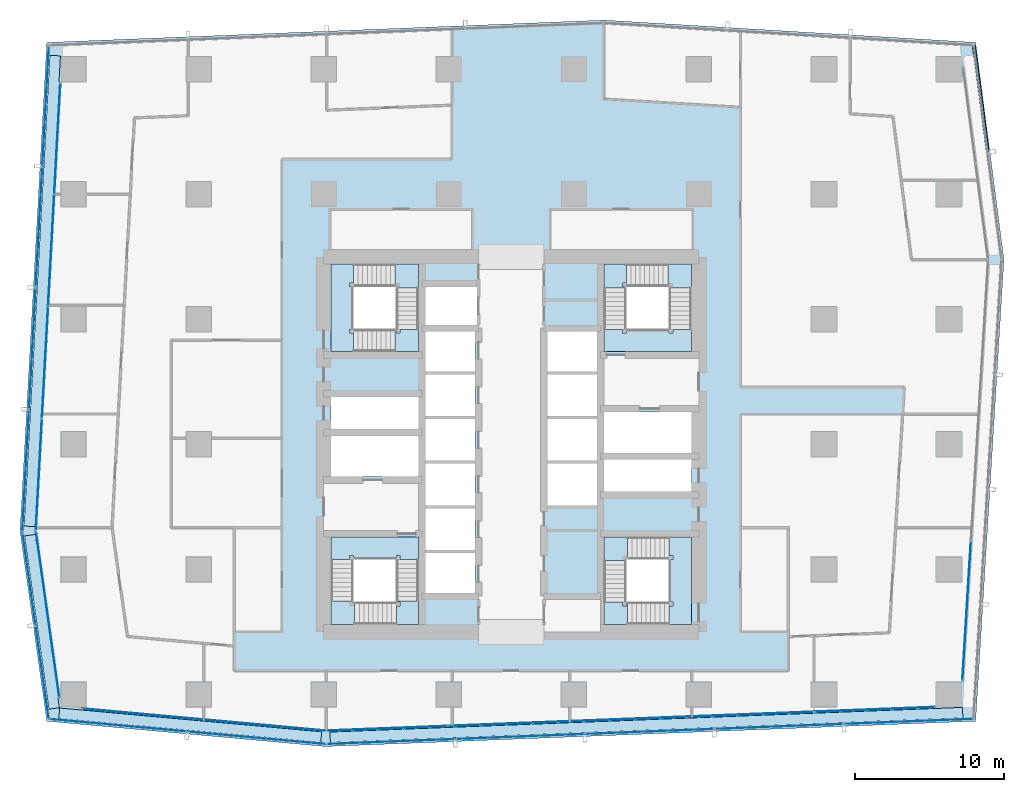
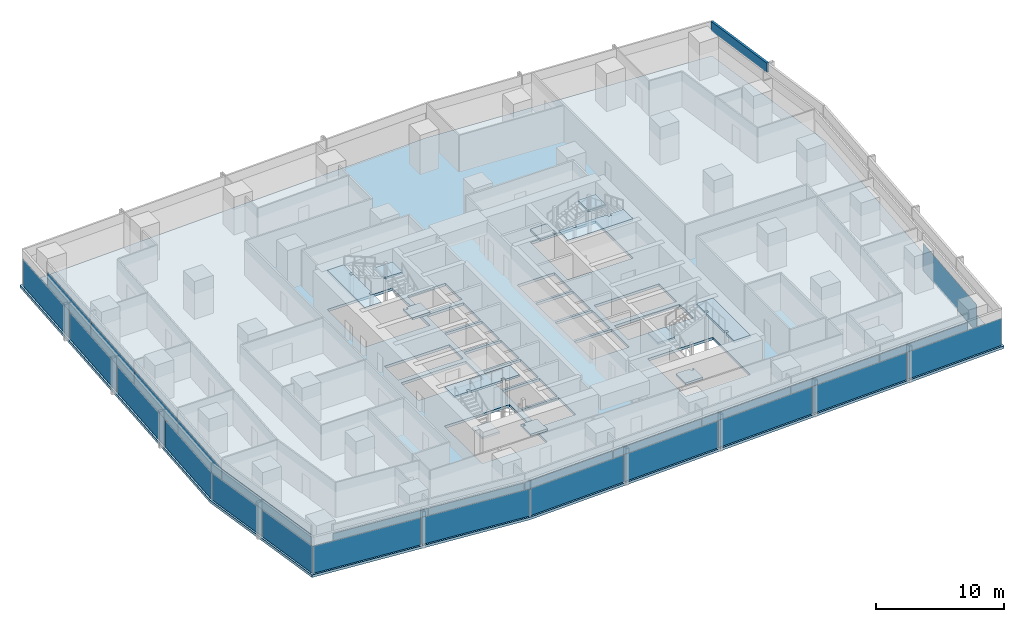
# One storey, part 27 of 40: 30 plates, 13 slabs, 1 member, 14 elements without a shape of their own.
"""IFC4 building model written with IfcOpenShell, lengths in metres."""

from ifc_helpers import new_model, si_unit, direction, frame, origin, origin_2d, place, context, subcontext, project, spatial, polyline, rectangle, hollow_rectangle, outline, extrude, material, layer, layer_set, material_profile, profile_set, type_object, element, aggregate, save


model = new_model("IFC4")

# Units and contexts
model_context = context("Model", 3, precision=1e-05, world=origin(), true_north=direction((0.0, 1.0)))
body_context = subcontext(model_context, "Body", "Model", "MODEL_VIEW")
ifc_project = project(units=[si_unit("LENGTHUNIT", "METRE"), si_unit("AREAUNIT", "SQUARE_METRE"), si_unit("VOLUMEUNIT", "CUBIC_METRE"), si_unit("PLANEANGLEUNIT", "RADIAN"), si_unit("MASSUNIT", "GRAM", prefix="KILO")], contexts=[model_context])

# Site, building, storey
site_placement = place(None, origin())
site = spatial("IfcSite", under=ifc_project, at=site_placement, CompositionType="ELEMENT")
building_placement = place(site_placement, origin())
building = spatial("IfcBuilding", under=site, at=building_placement, Name="Rekha Terrace Tower", CompositionType="ELEMENT")
storey_placement = place(building_placement, frame((0.0, 0.0, 132.800048828125)))
storey = spatial("IfcBuildingStorey", under=building, at=storey_placement, Name="L33", CompositionType="ELEMENT", Elevation=132.800048828125)

# Curtain wall, member
ifc_material_1 = material(Name="Aluminium framing", Category="aluminium")
curtain_wall_type_1 = type_object("IfcCurtainWallType", Name="CW2 double skin outer glazing", PredefinedType="USERDEFINED", material=ifc_material_1)
curtain_wall_1_placement = place(storey_placement, origin())
curtain_wall_1 = element("IfcCurtainWall", 1, at=curtain_wall_1_placement, inside=storey, type_object=curtain_wall_type_1, Name="CW2 double skin outer glazing", ObjectType="DOUBLE SKIN OUTER GLAZING", PredefinedType="USERDEFINED")
ifc_material_2 = material(Name="Insulated aluminium spandrel box", Category="aluminium")
ifc_material_profile = material_profile(ifc_material_2, hollow_rectangle(XDim=0.199951171875, YDim=0.89990234375, WallThickness=0.0029296875, at=origin_2d()), Name="AL SPANDREL BOX 200x900")
ifc_profile_set = profile_set([ifc_material_profile], Name="Insulated aluminium spandrel box")
member_type = type_object("IfcMemberType", Name="CW2 spandrel transom 200 x 900", PredefinedType="USERDEFINED", material=ifc_profile_set)
member_placement = place(storey_placement, frame((69.793701171875, 53.26513671875, 3.050048828125), z_axis=(-0.12912937971, 0.9916277544, 0.0), x_axis=(-0.9916277544, -0.12912937971, 0.0)))
member = element("IfcMember", 2, at=member_placement, type_object=member_type, Name="CW2 spandrel transom 2", ObjectType="TRANSOM", PredefinedType="USERDEFINED", context=body_context, shape_type="SweptSolid", body=[
    extrude(hollow_rectangle(XDim=0.199951171875, YDim=0.89990234375, WallThickness=0.0029296875, at=origin_2d()), origin(), (0.0, 0.0, 1.0), 7.163818359375),
])
aggregate(curtain_wall_1, [member])

# Curtain wall, plates
curtain_wall_type_2 = type_object("IfcCurtainWallType", Name="CW1 double skin inner glazing", PredefinedType="USERDEFINED", material=ifc_material_1)
curtain_wall_2_placement = place(storey_placement, origin())
curtain_wall_2 = element("IfcCurtainWall", 3, at=curtain_wall_2_placement, inside=storey, type_object=curtain_wall_type_2, Name="CW1 double skin inner glazing", ObjectType="DOUBLE SKIN INNER GLAZING", PredefinedType="USERDEFINED")
ifc_material_3 = material(Name="Double-glazed low-e unit 32", Category="glass")
ifc_layer_1 = layer(ifc_material_3, 0.031982421875)
ifc_layer_set_1 = layer_set([ifc_layer_1], Name="Double-glazed low-e unit 32")
plate_type_1 = type_object("IfcPlateType", Name="CW1 jumbo vision panel, double-glazed low-e unit 32", PredefinedType="CURTAIN_PANEL", material=ifc_layer_set_1)
plate_1_placement = place(storey_placement, frame((13.0439453125, 15.479248046875, 0.0), z_axis=(0.0, 0.0, 1.0), x_axis=(0.995901923142, -0.090439811381, 0.0)))
plate_1 = element("IfcPlate", 4, at=plate_1_placement, type_object=plate_type_1, Name="CW1 panel 1.1", PredefinedType="CURTAIN_PANEL", context=body_context, shape_type="SweptSolid", body=[
    extrude(rectangle(XDim=8.1494140625, YDim=0.031982421875, at=origin_2d()), origin(), (0.0, 0.0, 1.0), 2.60009765625),
])
plate_2_placement = place(storey_placement, frame((21.257080078125, 14.7333984375, 0.0), z_axis=(0.0, 0.0, 1.0), x_axis=(0.995901923142, -0.090439811381, 0.0)))
plate_2 = element("IfcPlate", 5, at=plate_2_placement, type_object=plate_type_1, Name="CW1 panel 2.1", PredefinedType="CURTAIN_PANEL", context=body_context, shape_type="SweptSolid", body=[
    extrude(rectangle(XDim=8.214599609375, YDim=0.031982421875, at=origin_2d()), origin(), (0.0, 0.0, 1.0), 2.60009765625),
])
aggregate(curtain_wall_2, [plate_1, plate_2])

curtain_wall_3_placement = place(storey_placement, origin())
curtain_wall_3 = element("IfcCurtainWall", 6, at=curtain_wall_3_placement, inside=storey, type_object=curtain_wall_type_2, Name="CW1 double skin inner glazing", ObjectType="DOUBLE SKIN INNER GLAZING", PredefinedType="USERDEFINED")
plate_3_placement = place(storey_placement, frame((29.4619140625, 14.52197265625, 0.0), z_axis=(0.0, 0.0, 1.0), x_axis=(0.999243498917, 0.038889971345, 0.0)))
plate_3 = element("IfcPlate", 7, at=plate_3_placement, type_object=plate_type_1, Name="CW1 panel 1.1", PredefinedType="CURTAIN_PANEL", context=body_context, shape_type="SweptSolid", body=[
    extrude(rectangle(XDim=8.105224609375, YDim=0.031982421875, at=origin_2d()), origin(), (0.0, 0.0, 1.0), 2.60009765625),
])
plate_4_placement = place(storey_placement, frame((37.64208984375, 14.84033203125, 0.0), z_axis=(0.0, 0.0, 1.0), x_axis=(0.999243498917, 0.038889971345, 0.0)))
plate_4 = element("IfcPlate", 8, at=plate_4_placement, type_object=plate_type_1, Name="CW1 panel 2.1", PredefinedType="CURTAIN_PANEL", context=body_context, shape_type="SweptSolid", body=[
    extrude(rectangle(XDim=8.1376953125, YDim=0.031982421875, at=origin_2d()), origin(), (0.0, 0.0, 1.0), 2.60009765625),
])
plate_5_placement = place(storey_placement, frame((45.838623046875, 15.159423828125, 0.0), z_axis=(0.0, 0.0, 1.0), x_axis=(0.999243498917, 0.038889971345, 0.0)))
plate_5 = element("IfcPlate", 9, at=plate_5_placement, type_object=plate_type_1, Name="CW1 panel 3.1", PredefinedType="CURTAIN_PANEL", context=body_context, shape_type="SweptSolid", body=[
    extrude(rectangle(XDim=8.1376953125, YDim=0.031982421875, at=origin_2d()), origin(), (0.0, 0.0, 1.0), 2.60009765625),
])
plate_6_placement = place(storey_placement, frame((54.034912109375, 15.478271484375, 0.0), z_axis=(0.0, 0.0, 1.0), x_axis=(0.999243498917, 0.038889971345, 0.0)))
plate_6 = element("IfcPlate", 10, at=plate_6_placement, type_object=plate_type_1, Name="CW1 panel 4.1", PredefinedType="CURTAIN_PANEL", context=body_context, shape_type="SweptSolid", body=[
    extrude(rectangle(XDim=8.1376953125, YDim=0.031982421875, at=origin_2d()), origin(), (0.0, 0.0, 1.0), 2.60009765625),
])
plate_7_placement = place(storey_placement, frame((62.21533203125, 15.796630859375, 0.0), z_axis=(0.0, 0.0, 1.0), x_axis=(0.999243498917, 0.038889971345, 0.0)))
plate_7 = element("IfcPlate", 11, at=plate_7_placement, type_object=plate_type_1, Name="CW1 panel 5.1", PredefinedType="CURTAIN_PANEL", context=body_context, shape_type="SweptSolid", body=[
    extrude(rectangle(XDim=8.105224609375, YDim=0.031982421875, at=origin_2d()), origin(), (0.0, 0.0, 1.0), 2.60009765625),
])
aggregate(curtain_wall_3, [plate_3, plate_4, plate_5, plate_6, plate_7])

# Curtain wall, plate
curtain_wall_4_placement = place(storey_placement, origin())
curtain_wall_4 = element("IfcCurtainWall", 12, at=curtain_wall_4_placement, inside=storey, type_object=curtain_wall_type_2, Name="CW1 double skin inner glazing", ObjectType="DOUBLE SKIN INNER GLAZING", PredefinedType="USERDEFINED")
plate_8_placement = place(storey_placement, frame((68.391357421875, 22.400634765625, 0.0), z_axis=(0.0, 0.0, 1.0), x_axis=(0.061159803131, 0.998127987024, 0.0)))
plate_8 = element("IfcPlate", 13, at=plate_8_placement, type_object=plate_type_1, Name="CW1 panel 1.1", PredefinedType="CURTAIN_PANEL", context=body_context, shape_type="SweptSolid", body=[
    extrude(rectangle(XDim=9.355224609375, YDim=0.031982421875, at=origin_2d()), origin(), (0.0, 0.0, 1.0), 2.60009765625),
])
aggregate(curtain_wall_4, [plate_8])

# Curtain wall, plates
curtain_wall_5_placement = place(storey_placement, origin())
curtain_wall_5 = element("IfcCurtainWall", 14, at=curtain_wall_5_placement, inside=storey, type_object=curtain_wall_type_2, Name="CW1 double skin inner glazing", ObjectType="DOUBLE SKIN INNER GLAZING", PredefinedType="USERDEFINED")
plate_9_placement = place(storey_placement, frame((7.30810546875, 54.15087890625, 0.0), z_axis=(0.0, 0.0, 1.0), x_axis=(-0.054742352707, -0.99850051318, 0.0)))
plate_9 = element("IfcPlate", 15, at=plate_9_placement, type_object=plate_type_1, Name="CW1 panel 1.1", PredefinedType="CURTAIN_PANEL", context=body_context, shape_type="SweptSolid", body=[
    extrude(rectangle(XDim=7.443359375, YDim=0.031982421875, at=origin_2d()), origin(), (0.0, 0.0, 1.0), 2.60009765625),
])
plate_10_placement = place(storey_placement, frame((6.89599609375, 46.637451171875, 0.0), z_axis=(0.0, 0.0, 1.0), x_axis=(-0.054742352707, -0.99850051318, 0.0)))
plate_10 = element("IfcPlate", 16, at=plate_10_placement, type_object=plate_type_1, Name="CW1 panel 2.1", PredefinedType="CURTAIN_PANEL", context=body_context, shape_type="SweptSolid", body=[
    extrude(rectangle(XDim=7.475830078125, YDim=0.031982421875, at=origin_2d()), origin(), (0.0, 0.0, 1.0), 2.60009765625),
])
plate_11_placement = place(storey_placement, frame((6.4833984375, 39.10791015625, 0.0), z_axis=(0.0, 0.0, 1.0), x_axis=(-0.054742352707, -0.99850051318, 0.0)))
plate_11 = element("IfcPlate", 17, at=plate_11_placement, type_object=plate_type_1, Name="CW1 panel 3.1", PredefinedType="CURTAIN_PANEL", context=body_context, shape_type="SweptSolid", body=[
    extrude(rectangle(XDim=7.475830078125, YDim=0.031982421875, at=origin_2d()), origin(), (0.0, 0.0, 1.0), 2.60009765625),
])
plate_12_placement = place(storey_placement, frame((6.069580078125, 31.56201171875, 0.0), z_axis=(0.0, 0.0, 1.0), x_axis=(-0.054742352707, -0.99850051318, 0.0)))
plate_12 = element("IfcPlate", 18, at=plate_12_placement, type_object=plate_type_1, Name="CW1 panel 4.1", PredefinedType="CURTAIN_PANEL", context=body_context, shape_type="SweptSolid", body=[
    extrude(rectangle(XDim=7.508544921875, YDim=0.031982421875, at=origin_2d()), origin(), (0.0, 0.0, 1.0), 2.60009765625),
])
aggregate(curtain_wall_5, [plate_9, plate_10, plate_11, plate_12])

# Curtain wall, plate
curtain_wall_6_placement = place(storey_placement, origin())
curtain_wall_6 = element("IfcCurtainWall", 19, at=curtain_wall_6_placement, inside=storey, type_object=curtain_wall_type_2, Name="CW1 double skin inner glazing", ObjectType="DOUBLE SKIN INNER GLAZING", PredefinedType="USERDEFINED")
plate_13_placement = place(storey_placement, frame((6.65869140625, 22.177490234375, 0.0), z_axis=(0.0, 0.0, 1.0), x_axis=(0.139597048082, -0.990208394312, 0.0)))
plate_13 = element("IfcPlate", 20, at=plate_13_placement, type_object=plate_type_1, Name="CW1 panel 1.1", PredefinedType="CURTAIN_PANEL", context=body_context, shape_type="SweptSolid", body=[
    extrude(rectangle(XDim=11.253173828125, YDim=0.031982421875, at=origin_2d()), origin(), (0.0, 0.0, 1.0), 2.60009765625),
])
aggregate(curtain_wall_6, [plate_13])

# Curtain wall, plates
curtain_wall_7_placement = place(storey_placement, origin())
curtain_wall_7 = element("IfcCurtainWall", 21, at=curtain_wall_7_placement, inside=storey, type_object=curtain_wall_type_1, Name="CW2 double skin outer glazing", ObjectType="DOUBLE SKIN OUTER GLAZING", PredefinedType="USERDEFINED")
ifc_material_4 = material(Name="Toughened single glazing 12", Category="glass")
ifc_layer_2 = layer(ifc_material_4, 0.011962890625)
ifc_layer_set_2 = layer_set([ifc_layer_2], Name="Toughened single glazing 12")
plate_type_2 = type_object("IfcPlateType", Name="CW2 jumbo vision panel, toughened single glazing 12", PredefinedType="CURTAIN_PANEL", material=ifc_layer_set_2)
plate_14_placement = place(storey_placement, frame((11.406494140625, 14.72412109375, 0.0), z_axis=(0.0, 0.0, 1.0), x_axis=(0.995901923137, -0.090439811433, 0.0)))
plate_14 = element("IfcPlate", 22, at=plate_14_placement, type_object=plate_type_2, Name="CW2 panel 1.1", PredefinedType="CURTAIN_PANEL", context=body_context, shape_type="SweptSolid", body=[
    extrude(rectangle(XDim=9.2099609375, YDim=0.011962890625, at=origin_2d()), origin(), (0.0, 0.0, 1.0), 2.60009765625),
])
plate_15_placement = place(storey_placement, frame((20.6982421875, 13.88037109375, 0.0), z_axis=(0.0, 0.0, 1.0), x_axis=(0.995901923137, -0.090439811433, 0.0)))
plate_15 = element("IfcPlate", 23, at=plate_15_placement, type_object=plate_type_2, Name="CW2 panel 2.1", PredefinedType="CURTAIN_PANEL", context=body_context, shape_type="SweptSolid", body=[
    extrude(rectangle(XDim=9.2900390625, YDim=0.011962890625, at=origin_2d()), origin(), (0.0, 0.0, 1.0), 2.60009765625),
])
aggregate(curtain_wall_7, [plate_14, plate_15])

curtain_wall_8_placement = place(storey_placement, origin())
curtain_wall_8 = element("IfcCurtainWall", 24, at=curtain_wall_8_placement, inside=storey, type_object=curtain_wall_type_1, Name="CW2 double skin outer glazing", ObjectType="DOUBLE SKIN OUTER GLAZING", PredefinedType="USERDEFINED")
plate_16_placement = place(storey_placement, frame((29.696533203125, 13.63037109375, 0.0), z_axis=(0.0, 0.0, 1.0), x_axis=(0.999243498917, 0.038889971345, 0.0)))
plate_16 = element("IfcPlate", 25, at=plate_16_placement, type_object=plate_type_2, Name="CW2 panel 1.1", PredefinedType="CURTAIN_PANEL", context=body_context, shape_type="SweptSolid", body=[
    extrude(rectangle(XDim=8.591552734375, YDim=0.011962890625, at=origin_2d()), origin(), (0.0, 0.0, 1.0), 2.60009765625),
])
plate_17_placement = place(storey_placement, frame((38.381591796875, 13.968505859375, 0.0), z_axis=(0.0, 0.0, 1.0), x_axis=(0.999243498917, 0.038889971345, 0.0)))
plate_17 = element("IfcPlate", 26, at=plate_17_placement, type_object=plate_type_2, Name="CW2 panel 2.1", PredefinedType="CURTAIN_PANEL", context=body_context, shape_type="SweptSolid", body=[
    extrude(rectangle(XDim=8.631591796875, YDim=0.011962890625, at=origin_2d()), origin(), (0.0, 0.0, 1.0), 2.60009765625),
])
plate_18_placement = place(storey_placement, frame((47.086669921875, 14.307373046875, 0.0), z_axis=(0.0, 0.0, 1.0), x_axis=(0.999243498917, 0.038889971345, 0.0)))
plate_18 = element("IfcPlate", 27, at=plate_18_placement, type_object=plate_type_2, Name="CW2 panel 3.1", PredefinedType="CURTAIN_PANEL", context=body_context, shape_type="SweptSolid", body=[
    extrude(rectangle(XDim=8.631591796875, YDim=0.011962890625, at=origin_2d()), origin(), (0.0, 0.0, 1.0), 2.60009765625),
])
plate_19_placement = place(storey_placement, frame((55.791748046875, 14.64599609375, 0.0), z_axis=(0.0, 0.0, 1.0), x_axis=(0.999243498917, 0.038889971345, 0.0)))
plate_19 = element("IfcPlate", 28, at=plate_19_placement, type_object=plate_type_2, Name="CW2 panel 4.1", PredefinedType="CURTAIN_PANEL", context=body_context, shape_type="SweptSolid", body=[
    extrude(rectangle(XDim=8.631591796875, YDim=0.011962890625, at=origin_2d()), origin(), (0.0, 0.0, 1.0), 2.60009765625),
])
plate_20_placement = place(storey_placement, frame((64.5166015625, 14.985595703125, 0.0), z_axis=(0.0, 0.0, 1.0), x_axis=(0.999243498917, 0.038889971345, 0.0)))
plate_20 = element("IfcPlate", 29, at=plate_20_placement, type_object=plate_type_2, Name="CW2 panel 5.1", PredefinedType="CURTAIN_PANEL", context=body_context, shape_type="SweptSolid", body=[
    extrude(rectangle(XDim=8.671630859375, YDim=0.011962890625, at=origin_2d()), origin(), (0.0, 0.0, 1.0), 2.60009765625),
])
aggregate(curtain_wall_8, [plate_16, plate_17, plate_18, plate_19, plate_20])

curtain_wall_9_placement = place(storey_placement, origin())
curtain_wall_9 = element("IfcCurtainWall", 30, at=curtain_wall_9_placement, inside=storey, type_object=curtain_wall_type_1, Name="CW2 double skin outer glazing", ObjectType="DOUBLE SKIN OUTER GLAZING", PredefinedType="USERDEFINED")
plate_21_placement = place(storey_placement, frame((6.52685546875, 56.342041015625, 0.0), z_axis=(0.0, 0.0, 1.0), x_axis=(-0.054742352707, -0.99850051318, 0.0)))
plate_21 = element("IfcPlate", 31, at=plate_21_placement, type_object=plate_type_2, Name="CW2 panel 1.1", PredefinedType="CURTAIN_PANEL", context=body_context, shape_type="SweptSolid", body=[
    extrude(rectangle(XDim=8.06005859375, YDim=0.011962890625, at=origin_2d()), origin(), (0.0, 0.0, 1.0), 2.60009765625),
])
plate_22_placement = place(storey_placement, frame((6.080078125, 48.1943359375, 0.0), z_axis=(0.0, 0.0, 1.0), x_axis=(-0.054742352707, -0.99850051318, 0.0)))
plate_22 = element("IfcPlate", 32, at=plate_22_placement, type_object=plate_type_2, Name="CW2 panel 2.1", PredefinedType="CURTAIN_PANEL", context=body_context, shape_type="SweptSolid", body=[
    extrude(rectangle(XDim=8.10009765625, YDim=0.011962890625, at=origin_2d()), origin(), (0.0, 0.0, 1.0), 2.60009765625),
])
plate_23_placement = place(storey_placement, frame((5.63232421875, 40.026611328125, 0.0), z_axis=(0.0, 0.0, 1.0), x_axis=(-0.054742352707, -0.99850051318, 0.0)))
plate_23 = element("IfcPlate", 33, at=plate_23_placement, type_object=plate_type_2, Name="CW2 panel 3.1", PredefinedType="CURTAIN_PANEL", context=body_context, shape_type="SweptSolid", body=[
    extrude(rectangle(XDim=8.10009765625, YDim=0.011962890625, at=origin_2d()), origin(), (0.0, 0.0, 1.0), 2.60009765625),
])
plate_24_placement = place(storey_placement, frame((5.183349609375, 31.8388671875, 0.0), z_axis=(0.0, 0.0, 1.0), x_axis=(-0.054742352707, -0.99850051318, 0.0)))
plate_24 = element("IfcPlate", 34, at=plate_24_placement, type_object=plate_type_2, Name="CW2 panel 4.1", PredefinedType="CURTAIN_PANEL", context=body_context, shape_type="SweptSolid", body=[
    extrude(rectangle(XDim=8.14013671875, YDim=0.011962890625, at=origin_2d()), origin(), (0.0, 0.0, 1.0), 2.60009765625),
])
aggregate(curtain_wall_9, [plate_21, plate_22, plate_23, plate_24])

curtain_wall_10_placement = place(storey_placement, origin())
curtain_wall_10 = element("IfcCurtainWall", 35, at=curtain_wall_10_placement, inside=storey, type_object=curtain_wall_type_1, Name="CW2 double skin outer glazing", ObjectType="DOUBLE SKIN OUTER GLAZING", PredefinedType="USERDEFINED")
plate_25_placement = place(storey_placement, frame((5.408447265625, 24.598388671875, 0.0), z_axis=(0.0, 0.0, 1.0), x_axis=(0.139597048082, -0.990208394312, 0.0)))
plate_25 = element("IfcPlate", 36, at=plate_25_placement, type_object=plate_type_2, Name="CW2 panel 1.1", PredefinedType="CURTAIN_PANEL", context=body_context, shape_type="SweptSolid", body=[
    extrude(rectangle(XDim=6.255859375, YDim=0.011962890625, at=origin_2d()), origin(), (0.0, 0.0, 1.0), 2.60009765625),
])
plate_26_placement = place(storey_placement, frame((6.298583984375, 18.284912109375, 0.0), z_axis=(0.0, 0.0, 1.0), x_axis=(0.139597048082, -0.990208394312, 0.0)))
plate_26 = element("IfcPlate", 37, at=plate_26_placement, type_object=plate_type_2, Name="CW2 panel 2.1", PredefinedType="CURTAIN_PANEL", context=body_context, shape_type="SweptSolid", body=[
    extrude(rectangle(XDim=6.3359375, YDim=0.011962890625, at=origin_2d()), origin(), (0.0, 0.0, 1.0), 2.60009765625),
])
aggregate(curtain_wall_10, [plate_25, plate_26])

# Plates
ifc_material_5 = material(Name="Galvanised steel open grating", Category="steel")
ifc_layer_3 = layer(ifc_material_5, 0.050048828125)
ifc_layer_set_3 = layer_set([ifc_layer_3], Name="Galvanised steel open grating")
plate_type_3 = type_object("IfcPlateType", Name="GT1 cavity walkway grating 50", PredefinedType="USERDEFINED", material=ifc_layer_set_3)
plate_27_placement = place(storey_placement, frame((16.236083984375, 14.737548828125, 0.0), z_axis=(0.0, 0.0, 1.0), x_axis=(0.99590192314, -0.090439811399, 0.0)))
element("IfcPlate", 38, at=plate_27_placement, inside=storey, type_object=plate_type_3, Name="Cavity walkway grating", ObjectType="CAVITY WALKWAY GRATING", PredefinedType="USERDEFINED", context=body_context, shape_type="SweptSolid", body=[
    extrude(rectangle(XDim=17.674072265625, YDim=0.705078125, at=origin_2d()), origin(), (0.0, 0.0, 1.0), 0.050048828125),
])
plate_28_placement = place(storey_placement, frame((46.88037109375, 14.74951171875, 0.0), z_axis=(0.0, 0.0, 1.0), x_axis=(0.999243498917, 0.038889971345, 0.0)))
element("IfcPlate", 39, at=plate_28_placement, inside=storey, type_object=plate_type_3, Name="Cavity walkway grating", ObjectType="CAVITY WALKWAY GRATING", PredefinedType="USERDEFINED", context=body_context, shape_type="SweptSolid", body=[
    extrude(rectangle(XDim=42.521728515625, YDim=0.705078125, at=origin_2d()), origin(), (0.0, 0.0, 1.0), 0.050048828125),
])
plate_29_placement = place(storey_placement, frame((6.295654296875, 43.9033203125, 0.0), z_axis=(0.0, 0.0, 1.0), x_axis=(-0.05474235269, -0.998500513181, 0.0)))
element("IfcPlate", 40, at=plate_29_placement, inside=storey, type_object=plate_type_3, Name="Cavity walkway grating", ObjectType="CAVITY WALKWAY GRATING", PredefinedType="USERDEFINED", context=body_context, shape_type="SweptSolid", body=[
    extrude(rectangle(XDim=31.6669921875, YDim=0.705078125, at=origin_2d()), origin(), (0.0, 0.0, 1.0), 0.050048828125),
])
plate_30_placement = place(storey_placement, frame((6.2744140625, 21.678955078125, 0.0), z_axis=(0.0, 0.0, 1.0), x_axis=(0.139597048064, -0.990208394315, 0.0)))
element("IfcPlate", 41, at=plate_30_placement, inside=storey, type_object=plate_type_3, Name="Cavity walkway grating", ObjectType="CAVITY WALKWAY GRATING", PredefinedType="USERDEFINED", context=body_context, shape_type="SweptSolid", body=[
    extrude(rectangle(XDim=11.751220703125, YDim=0.705078125, at=origin_2d()), origin(), (0.0, 0.0, 1.0), 0.050048828125),
])

# Stair, slabs
ifc_material_6 = material(Name="Concrete M40", Category="concrete")
stair_type = type_object("IfcStairType", Name="ST30 stair, 30 risers of 125, going 310, 1500 wide flights, 3 flights", PredefinedType="HALF_TURN_STAIR", material=ifc_material_6)
stair_1_placement = place(storey_placement, origin())
stair_1 = element("IfcStair", 42, at=stair_1_placement, inside=storey, type_object=stair_type, Name="Stair ST1 L33 to L34", PredefinedType="HALF_TURN_STAIR")
ifc_layer_4 = layer(ifc_material_6, 0.199951171875)
ifc_layer_set_4 = layer_set([ifc_layer_4], Name="Concrete M40")
slab_type_1 = type_object("IfcSlabType", Name="LD1 200 concrete stair landing", PredefinedType="LANDING", material=ifc_layer_set_4)
slab_1_placement = place(storey_placement, frame((0.0, 0.0, 1.050048828125)))
slab_1 = element("IfcSlab", 43, at=slab_1_placement, type_object=slab_type_1, Name="ST1 landing 1", PredefinedType="LANDING", context=body_context, shape_type="SweptSolid", body=[
    extrude(outline(polyline([(30.074951171875, 21.5), (31.574951171875, 21.5), (31.574951171875, 23.0849609375), (30.074951171875, 23.0849609375), (30.074951171875, 23.0), (30.324951171875, 23.0), (30.324951171875, 22.75), (30.074951171875, 22.75), (30.074951171875, 21.5)])), origin(), (0.0, 0.0, 1.0), 0.199951171875),
])
slab_2_placement = place(storey_placement, frame((0.0, 0.0, 2.300048828125)))
slab_2 = element("IfcSlab", 44, at=slab_2_placement, type_object=slab_type_1, Name="ST1 landing 2", PredefinedType="LANDING", context=body_context, shape_type="SweptSolid", body=[
    extrude(outline(polyline([(27.199951171875, 23.0849609375), (25.699951171875, 23.0849609375), (25.699951171875, 21.5), (27.284912109375, 21.5), (27.284912109375, 23.0), (27.199951171875, 23.0), (27.199951171875, 23.0849609375)])), origin(), (0.0, 0.0, 1.0), 0.199951171875),
])
slab_3_placement = place(storey_placement, frame((0.0, 0.0, 3.550048828125)))
slab_3 = element("IfcSlab", 45, at=slab_3_placement, type_object=slab_type_1, Name="ST1 landing 3", PredefinedType="LANDING", context=body_context, shape_type="SweptSolid", body=[
    extrude(outline(polyline([(31.574951171875, 25.875), (31.574951171875, 27.375), (25.699951171875, 27.375), (25.699951171875, 25.875), (26.949951171875, 25.875), (26.949951171875, 26.125), (27.199951171875, 26.125), (27.199951171875, 25.875), (30.074951171875, 25.875), (30.074951171875, 26.125), (30.324951171875, 26.125), (30.324951171875, 25.875), (31.574951171875, 25.875)])), origin(), (0.0, 0.0, 1.0), 0.199951171875),
])
aggregate(stair_1, [slab_1, slab_2, slab_3])

stair_2_placement = place(storey_placement, origin())
stair_2 = element("IfcStair", 46, at=stair_2_placement, inside=storey, type_object=stair_type, Name="Stair ST2 L33 to L34", PredefinedType="HALF_TURN_STAIR")
slab_4_placement = place(storey_placement, frame((0.0, 0.0, 1.050048828125)))
slab_4 = element("IfcSlab", 47, at=slab_4_placement, type_object=slab_type_1, Name="ST2 landing 1", PredefinedType="LANDING", context=body_context, shape_type="SweptSolid", body=[
    extrude(outline(polyline([(45.52490234375, 45.699951171875), (44.02490234375, 45.699951171875), (44.02490234375, 44.114990234375), (45.52490234375, 44.114990234375), (45.52490234375, 44.199951171875), (45.27490234375, 44.199951171875), (45.27490234375, 44.449951171875), (45.52490234375, 44.449951171875), (45.52490234375, 45.699951171875)])), origin(), (0.0, 0.0, 1.0), 0.199951171875),
])
slab_5_placement = place(storey_placement, frame((0.0, 0.0, 2.300048828125)))
slab_5 = element("IfcSlab", 48, at=slab_5_placement, type_object=slab_type_1, Name="ST2 landing 2", PredefinedType="LANDING", context=body_context, shape_type="SweptSolid", body=[
    extrude(outline(polyline([(48.39990234375, 44.114990234375), (49.89990234375, 44.114990234375), (49.89990234375, 45.699951171875), (48.31494140625, 45.699951171875), (48.31494140625, 44.199951171875), (48.39990234375, 44.199951171875), (48.39990234375, 44.114990234375)])), origin(), (0.0, 0.0, 1.0), 0.199951171875),
])
slab_6_placement = place(storey_placement, frame((0.0, 0.0, 3.550048828125)))
slab_6 = element("IfcSlab", 49, at=slab_6_placement, type_object=slab_type_1, Name="ST2 landing 3", PredefinedType="LANDING", context=body_context, shape_type="SweptSolid", body=[
    extrude(outline(polyline([(44.02490234375, 41.324951171875), (44.02490234375, 39.824951171875), (49.89990234375, 39.824951171875), (49.89990234375, 41.324951171875), (48.64990234375, 41.324951171875), (48.64990234375, 41.074951171875), (48.39990234375, 41.074951171875), (48.39990234375, 41.324951171875), (45.52490234375, 41.324951171875), (45.52490234375, 41.074951171875), (45.27490234375, 41.074951171875), (45.27490234375, 41.324951171875), (44.02490234375, 41.324951171875)])), origin(), (0.0, 0.0, 1.0), 0.199951171875),
])
aggregate(stair_2, [slab_4, slab_5, slab_6])

stair_3_placement = place(storey_placement, origin())
stair_3 = element("IfcStair", 50, at=stair_3_placement, inside=storey, type_object=stair_type, Name="Stair ST3 L33 to L34", PredefinedType="HALF_TURN_STAIR")
slab_7_placement = place(storey_placement, frame((0.0, 0.0, 1.050048828125)))
slab_7 = element("IfcSlab", 51, at=slab_7_placement, type_object=slab_type_1, Name="ST3 landing 1", PredefinedType="LANDING", context=body_context, shape_type="SweptSolid", body=[
    extrude(outline(polyline([(44.02490234375, 23.0), (44.02490234375, 21.5), (45.610107421875, 21.5), (45.610107421875, 23.0), (45.52490234375, 23.0), (45.52490234375, 22.75), (45.27490234375, 22.75), (45.27490234375, 23.0), (44.02490234375, 23.0)])), origin(), (0.0, 0.0, 1.0), 0.199951171875),
])
slab_8_placement = place(storey_placement, frame((0.0, 0.0, 2.300048828125)))
slab_8 = element("IfcSlab", 52, at=slab_8_placement, type_object=slab_type_1, Name="ST3 landing 2", PredefinedType="LANDING", context=body_context, shape_type="SweptSolid", body=[
    extrude(outline(polyline([(45.610107421875, 25.875), (45.610107421875, 27.375), (44.02490234375, 27.375), (44.02490234375, 25.7900390625), (45.52490234375, 25.7900390625), (45.52490234375, 25.875), (45.610107421875, 25.875)])), origin(), (0.0, 0.0, 1.0), 0.199951171875),
])
slab_9_placement = place(storey_placement, frame((0.0, 0.0, 3.550048828125)))
slab_9 = element("IfcSlab", 53, at=slab_9_placement, type_object=slab_type_1, Name="ST3 landing 3", PredefinedType="LANDING", context=body_context, shape_type="SweptSolid", body=[
    extrude(outline(polyline([(48.39990234375, 21.5), (49.89990234375, 21.5), (49.89990234375, 27.375), (48.39990234375, 27.375), (48.39990234375, 26.125), (48.64990234375, 26.125), (48.64990234375, 25.875), (48.39990234375, 25.875), (48.39990234375, 23.0), (48.64990234375, 23.0), (48.64990234375, 22.75), (48.39990234375, 22.75), (48.39990234375, 21.5)])), origin(), (0.0, 0.0, 1.0), 0.199951171875),
])
aggregate(stair_3, [slab_7, slab_8, slab_9])

stair_4_placement = place(storey_placement, origin())
stair_4 = element("IfcStair", 54, at=stair_4_placement, inside=storey, type_object=stair_type, Name="Stair ST4 L33 to L34", PredefinedType="HALF_TURN_STAIR")
slab_10_placement = place(storey_placement, frame((0.0, 0.0, 1.050048828125)))
slab_10 = element("IfcSlab", 55, at=slab_10_placement, type_object=slab_type_1, Name="ST4 landing 1", PredefinedType="LANDING", context=body_context, shape_type="SweptSolid", body=[
    extrude(outline(polyline([(31.574951171875, 41.324951171875), (31.574951171875, 39.824951171875), (29.989990234375, 39.824951171875), (29.989990234375, 41.324951171875), (30.074951171875, 41.324951171875), (30.074951171875, 41.074951171875), (30.324951171875, 41.074951171875), (30.324951171875, 41.324951171875), (31.574951171875, 41.324951171875)])), origin(), (0.0, 0.0, 1.0), 0.199951171875),
])
slab_11_placement = place(storey_placement, frame((0.0, 0.0, 2.300048828125)))
slab_11 = element("IfcSlab", 56, at=slab_11_placement, type_object=slab_type_1, Name="ST4 landing 2", PredefinedType="LANDING", context=body_context, shape_type="SweptSolid", body=[
    extrude(outline(polyline([(29.989990234375, 44.199951171875), (29.989990234375, 45.699951171875), (31.574951171875, 45.699951171875), (31.574951171875, 44.114990234375), (30.074951171875, 44.114990234375), (30.074951171875, 44.199951171875), (29.989990234375, 44.199951171875)])), origin(), (0.0, 0.0, 1.0), 0.199951171875),
])
slab_12_placement = place(storey_placement, frame((0.0, 0.0, 3.550048828125)))
slab_12 = element("IfcSlab", 57, at=slab_12_placement, type_object=slab_type_1, Name="ST4 landing 3", PredefinedType="LANDING", context=body_context, shape_type="SweptSolid", body=[
    extrude(outline(polyline([(27.199951171875, 39.824951171875), (25.699951171875, 39.824951171875), (25.699951171875, 45.699951171875), (27.199951171875, 45.699951171875), (27.199951171875, 44.449951171875), (26.949951171875, 44.449951171875), (26.949951171875, 44.199951171875), (27.199951171875, 44.199951171875), (27.199951171875, 41.324951171875), (26.949951171875, 41.324951171875), (26.949951171875, 41.074951171875), (27.199951171875, 41.074951171875), (27.199951171875, 39.824951171875)])), origin(), (0.0, 0.0, 1.0), 0.199951171875),
])
aggregate(stair_4, [slab_10, slab_11, slab_12])

# Slab
ifc_material_7 = material(Name="Concrete M50", Category="concrete")
ifc_layer_5 = layer(ifc_material_7, 0.25)
ifc_layer_set_5 = layer_set([ifc_layer_5], Name="Concrete M50")
slab_type_2 = type_object("IfcSlabType", Name="SL4 250 post-tensioned flat plate", PredefinedType="FLOOR", material=ifc_layer_set_5)
slab_13_placement = place(storey_placement, frame((0.0, 0.0, -0.25)))
element("IfcSlab", 58, at=slab_13_placement, inside=storey, type_object=slab_type_2, Name="Post-tensioned flat plate L33", PredefinedType="FLOOR", context=body_context, shape_type="SweptSolid", body=[
    extrude(outline(polyline([(4.800048828125, 27.76806640625), (6.60009765625, 15.0), (25.320068359375, 13.300048828125), (69.0, 15.0), (70.89990234375, 46.008056640625), (69.0, 60.60009765625), (44.0400390625, 62.10009765625), (6.60009765625, 60.60009765625), (4.800048828125, 27.76806640625)]), holes=[polyline([(31.574951171875, 27.375), (31.574951171875, 21.5), (25.699951171875, 21.5), (25.699951171875, 27.375), (31.574951171875, 27.375)]), polyline([(35.375, 26.300048828125), (35.375, 23.625), (32.02490234375, 23.625), (32.02490234375, 26.300048828125), (35.375, 26.300048828125)]), polyline([(35.375, 29.300048828125), (35.375, 26.5), (32.02490234375, 26.5), (32.02490234375, 29.300048828125), (35.375, 29.300048828125)]), polyline([(35.375, 32.300048828125), (35.375, 29.5), (32.02490234375, 29.5), (32.02490234375, 32.300048828125), (35.375, 32.300048828125)]), polyline([(31.574951171875, 34.175048828125), (31.574951171875, 31.425048828125), (25.699951171875, 31.425048828125), (25.699951171875, 34.175048828125), (31.574951171875, 34.175048828125)]), polyline([(35.375, 35.300048828125), (35.375, 32.5), (32.02490234375, 32.5), (32.02490234375, 35.300048828125), (35.375, 35.300048828125)]), polyline([(31.574951171875, 36.77490234375), (31.574951171875, 34.625), (25.699951171875, 34.625), (25.699951171875, 36.77490234375), (31.574951171875, 36.77490234375)]), polyline([(35.375, 35.5), (32.02490234375, 35.5), (32.02490234375, 38.300048828125), (35.375, 38.300048828125), (35.375, 35.5)]), polyline([(35.375, 38.5), (32.02490234375, 38.5), (32.02490234375, 41.175048828125), (35.375, 41.175048828125), (35.375, 38.5)]), polyline([(31.574951171875, 45.699951171875), (31.574951171875, 39.824951171875), (25.699951171875, 39.824951171875), (25.699951171875, 45.699951171875), (31.574951171875, 45.699951171875)]), polyline([(49.89990234375, 27.375), (49.89990234375, 21.5), (44.02490234375, 21.5), (44.02490234375, 27.375), (49.89990234375, 27.375)]), polyline([(43.574951171875, 32.300048828125), (43.574951171875, 29.5), (40.22509765625, 29.5), (40.22509765625, 32.300048828125), (43.574951171875, 32.300048828125)]), polyline([(49.89990234375, 30.425048828125), (44.02490234375, 30.425048828125), (44.02490234375, 32.574951171875), (49.89990234375, 32.574951171875), (49.89990234375, 30.425048828125)]), polyline([(43.574951171875, 32.5), (40.22509765625, 32.5), (40.22509765625, 35.300048828125), (43.574951171875, 35.300048828125), (43.574951171875, 32.5)]), polyline([(49.89990234375, 35.77490234375), (49.89990234375, 33.02490234375), (44.02490234375, 33.02490234375), (44.02490234375, 35.77490234375), (49.89990234375, 35.77490234375)]), polyline([(43.574951171875, 38.300048828125), (43.574951171875, 35.5), (40.22509765625, 35.5), (40.22509765625, 38.300048828125), (43.574951171875, 38.300048828125)]), polyline([(43.574951171875, 41.175048828125), (43.574951171875, 38.5), (40.22509765625, 38.5), (40.22509765625, 41.175048828125), (43.574951171875, 41.175048828125)]), polyline([(49.89990234375, 39.824951171875), (44.02490234375, 39.824951171875), (44.02490234375, 45.699951171875), (49.89990234375, 45.699951171875), (49.89990234375, 39.824951171875)]), polyline([(35.5, 41.625), (32.02490234375, 41.625), (32.02490234375, 44.175048828125), (35.5, 44.175048828125), (35.5, 41.625)])]), origin(), (0.0, 0.0, 1.0), 0.25),
])

save(model, "model.ifc")
